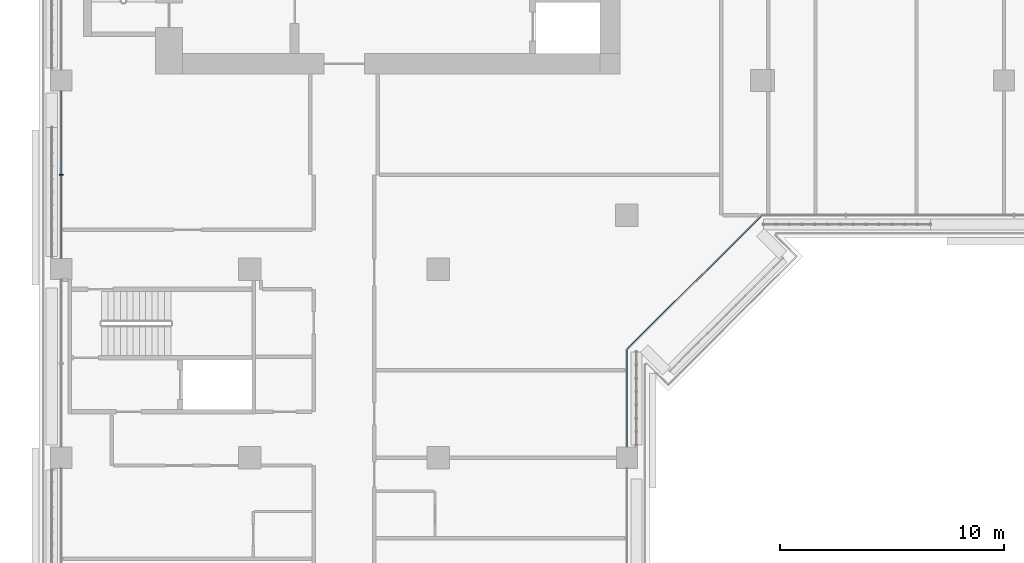
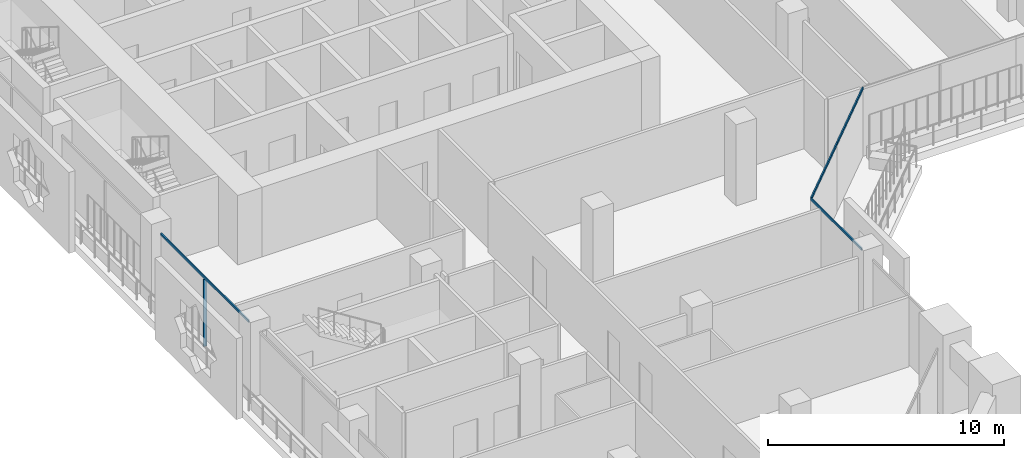
# One storey, part 3 of 23: 5 members, 3 elements without a shape of their own.
"""IFC4 building model written with IfcOpenShell, lengths in metres."""

from ifc_helpers import new_model, si_unit, direction, frame, origin, origin_2d, place, context, subcontext, project, spatial, rectangle, extrude, material, layer, layer_set, material_profile, profile_set, type_object, element, aggregate, save


model = new_model("IFC4")

# Units and contexts
model_context = context("Model", 3, precision=1e-05, world=origin(), true_north=direction((0.0, 1.0)))
body_context = subcontext(model_context, "Body", "Model", "MODEL_VIEW")
ifc_project = project(units=[si_unit("LENGTHUNIT", "METRE"), si_unit("AREAUNIT", "SQUARE_METRE"), si_unit("VOLUMEUNIT", "CUBIC_METRE"), si_unit("PLANEANGLEUNIT", "RADIAN"), si_unit("MASSUNIT", "GRAM", prefix="KILO")], contexts=[model_context])

# Site, building, storey
site_placement = place(None, origin())
site = spatial("IfcSite", under=ifc_project, at=site_placement, CompositionType="ELEMENT")
building_placement = place(site_placement, origin())
building = spatial("IfcBuilding", under=site, at=building_placement, Name="Kawkab Arch Medical Tower", CompositionType="ELEMENT")
storey_placement = place(building_placement, frame((0.0, 0.0, 175.199951171875)))
storey = spatial("IfcBuildingStorey", under=building, at=storey_placement, Name="L40", CompositionType="ELEMENT", Elevation=175.199951171875)

# Curtain wall, members
ifc_material_1 = material(Name="Bronze anodised aluminium curtain wall frame", Category="aluminium")
ifc_layer_1 = layer(ifc_material_1, 0.159912109375)
ifc_layer_set_1 = layer_set([ifc_layer_1], Name="Bronze anodised aluminium curtain wall frame")
curtain_wall_type_1 = type_object("IfcCurtainWallType", Name="CW1 ward curtain wall", PredefinedType="NOTDEFINED", material=ifc_layer_set_1)
placement = place(storey_placement, origin())
curtain_wall_1 = element("IfcCurtainWall", 1, at=placement, inside=storey, type_object=curtain_wall_type_1, Name="CW1 Ward curtain wall R01", PredefinedType="NOTDEFINED")
ifc_material_2 = material(Name="Bronze anodised aluminium curtain wall frame", Category="aluminium")
ifc_material_profile_1 = material_profile(ifc_material_2, rectangle(XDim=0.179931640625, YDim=0.06005859375, at=origin_2d()), Name="AL 60x180")
ifc_profile_set_1 = profile_set([ifc_material_profile_1], Name="Bronze anodised aluminium curtain wall frame")
member_type_1 = type_object("IfcMemberType", Name="CW1 mullion 60 x 180", PredefinedType="MULLION", material=ifc_profile_set_1)
member_1_placement = place(storey_placement, frame((0.0, -29.39990234375, 0.0), z_axis=(0.0, 0.0, 1.0), x_axis=(1.0, 0.0, 0.0)))
member_1 = element("IfcMember", 2, at=member_1_placement, type_object=member_type_1, Name="CW1 mullion 3.1", PredefinedType="MULLION", context=body_context, shape_type="SweptSolid", body=[
    extrude(rectangle(XDim=0.179931640625, YDim=0.06005859375, at=origin_2d()), origin(), (0.0, 0.0, 1.0), 3.47998046875),
])
ifc_material_3 = material(Name="Bronze anodised aluminium curtain wall frame", Category="aluminium")
ifc_material_profile_2 = material_profile(ifc_material_3, rectangle(XDim=0.06005859375, YDim=0.1201171875, at=origin_2d()), Name="AL 60x120")
ifc_profile_set_2 = profile_set([ifc_material_profile_2], Name="Bronze anodised aluminium curtain wall frame")
member_type_2 = type_object("IfcMemberType", Name="CW1 transom 120 x 60", PredefinedType="USERDEFINED", material=ifc_profile_set_2)
member_2_placement = place(storey_placement, frame((0.0, -25.675048828125, 3.5400390625), z_axis=(0.0, -1.0, 0.0), x_axis=(1.0, 0.0, 0.0)))
member_2 = element("IfcMember", 3, at=member_2_placement, type_object=member_type_2, Name="CW1 transom 3", ObjectType="TRANSOM", PredefinedType="USERDEFINED", context=body_context, shape_type="SweptSolid", body=[
    extrude(rectangle(XDim=0.06005859375, YDim=0.1201171875, at=origin_2d()), origin(), (0.0, 0.0, 1.0), 7.449951171875),
])
aggregate(curtain_wall_1, [member_2, member_1])

# Curtain wall, member
curtain_wall_2 = element("IfcCurtainWall", 4, at=placement, inside=storey, type_object=curtain_wall_type_1, Name="CW1 Ward curtain wall R05", PredefinedType="NOTDEFINED")
member_3_placement = place(storey_placement, frame((25.199951171875, -41.52490234375, 3.5400390625), z_axis=(0.0, 1.0, 0.0), x_axis=(-1.0, 0.0, 0.0)))
member_3 = element("IfcMember", 5, at=member_3_placement, type_object=member_type_2, Name="CW1 transom 2", ObjectType="TRANSOM", PredefinedType="USERDEFINED", context=body_context, shape_type="SweptSolid", body=[
    extrude(rectangle(XDim=0.06005859375, YDim=0.1201171875, at=origin_2d()), origin(), (0.0, 0.0, 1.0), 4.324951171875),
])
aggregate(curtain_wall_2, [member_3])

# Curtain wall, members
ifc_material_4 = material(Name="Bronze anodised aluminium curtain wall frame", Category="aluminium")
ifc_layer_2 = layer(ifc_material_4, 0.159912109375)
ifc_layer_set_2 = layer_set([ifc_layer_2], Name="Bronze anodised aluminium curtain wall frame")
curtain_wall_type_2 = type_object("IfcCurtainWallType", Name="CW2 chamfer curtain wall", PredefinedType="NOTDEFINED", material=ifc_layer_set_2)
curtain_wall_3 = element("IfcCurtainWall", 6, at=placement, inside=storey, type_object=curtain_wall_type_2, Name="CW2 Chamfer curtain wall R06", PredefinedType="NOTDEFINED")
ifc_material_5 = material(Name="Bronze anodised aluminium curtain wall frame", Category="aluminium")
ifc_material_profile_3 = material_profile(ifc_material_5, rectangle(XDim=0.06005859375, YDim=0.139892578125, at=origin_2d()), Name="AL 60x140")
ifc_profile_set_3 = profile_set([ifc_material_profile_3], Name="Bronze anodised aluminium curtain wall frame")
member_type_3 = type_object("IfcMemberType", Name="CW2 transom 140 x 60", PredefinedType="USERDEFINED", material=ifc_profile_set_3)
member_4_placement = place(storey_placement, frame((25.199951171875, -37.199951171875, 3.530029296875), z_axis=(0.707106781187, 0.707106781187, 0.0), x_axis=(-0.707106781187, 0.707106781187, 0.0)))
member_4 = element("IfcMember", 7, at=member_4_placement, type_object=member_type_3, Name="CW2 transom 1", ObjectType="TRANSOM", PredefinedType="USERDEFINED", context=body_context, shape_type="SweptSolid", body=[
    extrude(rectangle(XDim=0.06005859375, YDim=0.139892578125, at=origin_2d()), origin(), (0.0, 0.0, 1.0), 4.24267578125),
])
member_5_placement = place(storey_placement, frame((28.199951171875, -34.199951171875, 3.530029296875), z_axis=(0.707106781187, 0.707106781187, 0.0), x_axis=(-0.707106781187, 0.707106781187, 0.0)))
member_5 = element("IfcMember", 8, at=member_5_placement, type_object=member_type_3, Name="CW2 transom 2", ObjectType="TRANSOM", PredefinedType="USERDEFINED", context=body_context, shape_type="SweptSolid", body=[
    extrude(rectangle(XDim=0.06005859375, YDim=0.139892578125, at=origin_2d()), origin(), (0.0, 0.0, 1.0), 4.24267578125),
])
aggregate(curtain_wall_3, [member_4, member_5])

save(model, "model.ifc")
